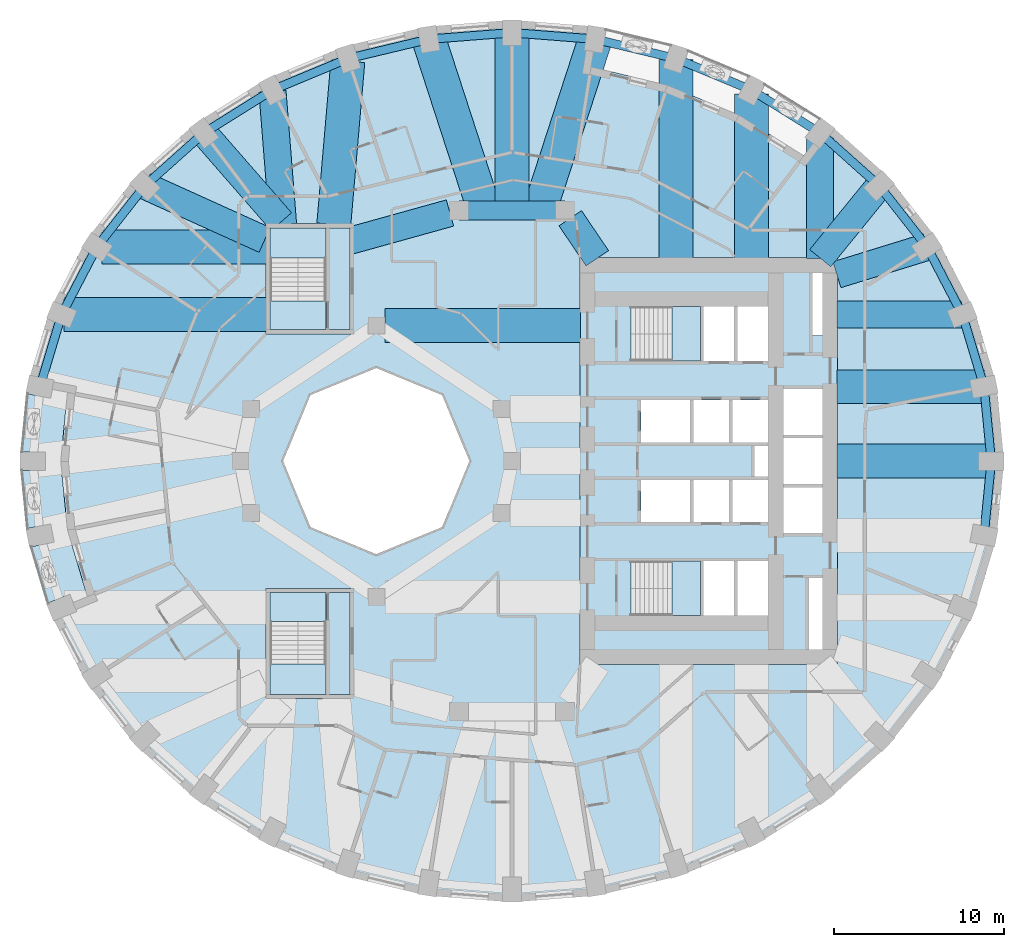
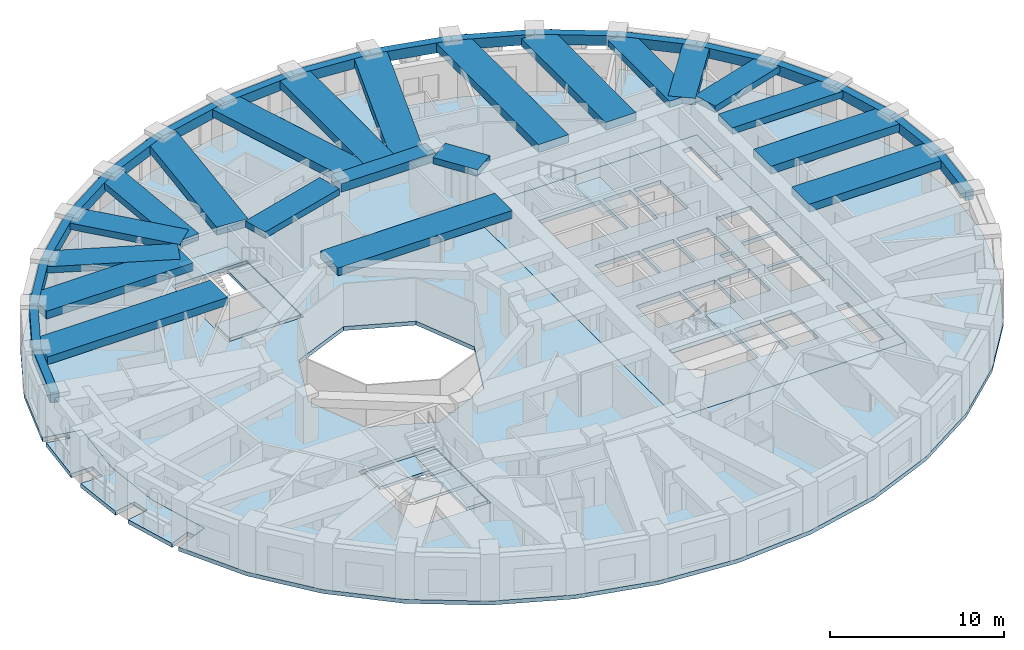
# One storey, part 2 of 13: 39 beams, 11 slabs, 4 elements without a shape of their own.
"""IFC4 building model written with IfcOpenShell, lengths in metres."""

from ifc_helpers import new_model, si_unit, direction, frame, origin, origin_2d, place, context, subcontext, project, spatial, polyline, rectangle, outline, extrude, material, layer, layer_set, material_profile, profile_set, type_object, element, aggregate, save


model = new_model("IFC4")

# Units and contexts
model_context = context("Model", 3, precision=1e-05, world=origin(), true_north=direction((0.0, 1.0)))
body_context = subcontext(model_context, "Body", "Model", "MODEL_VIEW")
ifc_project = project(units=[si_unit("LENGTHUNIT", "METRE"), si_unit("AREAUNIT", "SQUARE_METRE"), si_unit("VOLUMEUNIT", "CUBIC_METRE"), si_unit("PLANEANGLEUNIT", "RADIAN"), si_unit("MASSUNIT", "GRAM", prefix="KILO")], contexts=[model_context])

# Site, building, storey
site_placement = place(None, origin())
site = spatial("IfcSite", under=ifc_project, at=site_placement, CompositionType="ELEMENT")
building_placement = place(site_placement, origin())
building = spatial("IfcBuilding", under=site, at=building_placement, Name="Taillehof Tower", CompositionType="ELEMENT")
storey_placement = place(building_placement, frame((0.0, 0.0, 67.89990234375)))
storey = spatial("IfcBuildingStorey", under=building, at=storey_placement, Name="L18", CompositionType="ELEMENT", Elevation=67.89990234375)

# Beams
ifc_material_1 = material(Name="Concrete C50/60", Category="concrete")
ifc_material_profile_1 = material_profile(ifc_material_1, rectangle(XDim=1.10009765625, YDim=0.60009765625, at=origin_2d()), Name="RC 1100x600")
ifc_profile_set_1 = profile_set([ifc_material_profile_1], Name="Concrete C50/60")
beam_type_1 = type_object("IfcBeamType", Name="Mid-ring beam C50/60 1100x600", PredefinedType="BEAM", material=ifc_profile_set_1)
beam_1_placement = place(storey_placement, frame((3.125732421875, 14.772216796875, 2.72021484375), z_axis=(-1.0, 0.0, 0.0), x_axis=(0.0, -1.0, 0.0)))
element("IfcBeam", 1, at=beam_1_placement, inside=storey, type_object=beam_type_1, Name="Mid-ring beam MB01", PredefinedType="BEAM", context=body_context, shape_type="SweptSolid", body=[
    extrude(rectangle(XDim=1.10009765625, YDim=0.60009765625, at=origin_2d()), origin(), (0.0, 0.0, 1.0), 6.25146484375),
])
ifc_material_2 = material(Name="Concrete C50/60", Category="concrete")
ifc_material_profile_2 = material_profile(ifc_material_2, rectangle(XDim=1.60009765625, YDim=0.449951171875, at=origin_2d()), Name="RC 1600x450")
ifc_profile_set_2 = profile_set([ifc_material_profile_2], Name="Concrete C50/60")
beam_type_2 = type_object("IfcBeamType", Name="Radial band beam C50/60 1600x450", PredefinedType="BEAM", material=ifc_profile_set_2)
beam_2_placement = place(storey_placement, frame((26.490478515625, 8.635986328125, 2.795166015625), z_axis=(-1.0, 0.0, 0.0), x_axis=(0.0, -1.0, 0.0)))
element("IfcBeam", 2, at=beam_2_placement, inside=storey, type_object=beam_type_2, Name="Radial band beam RB03", PredefinedType="BEAM", context=body_context, shape_type="SweptSolid", body=[
    extrude(rectangle(XDim=1.60009765625, YDim=0.449951171875, at=origin_2d()), origin(), (0.0, 0.0, 1.0), 7.340576171875),
])
beam_3_placement = place(storey_placement, frame((24.46533203125, 12.625, 2.795166015625), z_axis=(-0.955535654338, -0.294875589511, 0.0), x_axis=(0.294875589511, -0.955535654338, 0.0)))
element("IfcBeam", 3, at=beam_3_placement, inside=storey, type_object=beam_type_2, Name="Radial band beam RB04", PredefinedType="BEAM", context=body_context, shape_type="SweptSolid", body=[
    extrude(rectangle(XDim=1.60009765625, YDim=0.449951171875, at=origin_2d()), origin(), (0.0, 0.0, 1.0), 5.560546875),
])
beam_4_placement = place(storey_placement, frame((21.640869140625, 16.23046875, 2.795166015625), z_axis=(-0.630988373846, -0.775792286679, 0.0), x_axis=(0.775792286679, -0.630988373846, 0.0)))
element("IfcBeam", 4, at=beam_4_placement, inside=storey, type_object=beam_type_2, Name="Radial band beam RB05", PredefinedType="BEAM", context=body_context, shape_type="SweptSolid", body=[
    extrude(rectangle(XDim=1.60009765625, YDim=0.449951171875, at=origin_2d()), origin(), (0.0, 0.0, 1.0), 5.503173828125),
])
beam_5_placement = place(storey_placement, frame((18.15869140625, 19.05517578125, 2.795166015625), z_axis=(0.0, -1.0, 0.0), x_axis=(1.0, 0.0, 0.0)))
element("IfcBeam", 5, at=beam_5_placement, inside=storey, type_object=beam_type_2, Name="Radial band beam RB06", PredefinedType="BEAM", context=body_context, shape_type="SweptSolid", body=[
    extrude(rectangle(XDim=1.60009765625, YDim=0.449951171875, at=origin_2d()), origin(), (0.0, 0.0, 1.0), 7.105224609375),
])
beam_6_placement = place(storey_placement, frame((-14.119873046875, 21.802978515625, 2.795166015625), z_axis=(0.079184740988, -0.996859958467, 0.0), x_axis=(0.996859958467, 0.079184740988, 0.0)))
element("IfcBeam", 6, at=beam_6_placement, inside=storey, type_object=beam_type_2, Name="Radial band beam RB13", PredefinedType="BEAM", context=body_context, shape_type="SweptSolid", body=[
    extrude(rectangle(XDim=1.60009765625, YDim=0.449951171875, at=origin_2d()), origin(), (0.0, 0.0, 1.0), 7.87744140625),
])
beam_7_placement = place(storey_placement, frame((-18.15869140625, 19.342529296875, 2.795166015625), z_axis=(0.65721824087, -0.753700327628, 0.0), x_axis=(0.753700327628, 0.65721824087, 0.0)))
element("IfcBeam", 7, at=beam_7_placement, inside=storey, type_object=beam_type_2, Name="Radial band beam RB14", PredefinedType="BEAM", context=body_context, shape_type="SweptSolid", body=[
    extrude(rectangle(XDim=1.60009765625, YDim=0.449951171875, at=origin_2d()), origin(), (0.0, 0.0, 1.0), 6.9384765625),
])
beam_8_placement = place(storey_placement, frame((-21.632568359375, 16.226806640625, 2.795166015625), z_axis=(0.911100590789, -0.412184077161, 0.0), x_axis=(0.412184077161, 0.911100590789, 0.0)))
element("IfcBeam", 8, at=beam_8_placement, inside=storey, type_object=beam_type_2, Name="Radial band beam RB15", PredefinedType="BEAM", context=body_context, shape_type="SweptSolid", body=[
    extrude(rectangle(XDim=1.60009765625, YDim=0.449951171875, at=origin_2d()), origin(), (0.0, 0.0, 1.0), 7.740966796875),
])
beam_9_placement = place(storey_placement, frame((3.433837890625, 14.31640625, 2.795166015625), z_axis=(0.560112043398, -0.828416862962, 0.0), x_axis=(0.828416862962, 0.560112043398, 0.0)))
element("IfcBeam", 9, at=beam_9_placement, inside=storey, type_object=beam_type_2, Name="Inner band beam IB205", PredefinedType="BEAM", context=body_context, shape_type="SweptSolid", body=[
    extrude(rectangle(XDim=1.60009765625, YDim=0.449951171875, at=origin_2d()), origin(), (0.0, 0.0, 1.0), 2.84619140625),
])
beam_10_placement = place(storey_placement, frame((-3.655517578125, 14.624755859375, 2.795166015625), z_axis=(-0.963459369536, -0.267854518821, 0.0), x_axis=(0.267854518821, -0.963459369536, 0.0)))
element("IfcBeam", 10, at=beam_10_placement, inside=storey, type_object=beam_type_2, Name="Inner band beam IB206", PredefinedType="BEAM", context=body_context, shape_type="SweptSolid", body=[
    extrude(rectangle(XDim=1.60009765625, YDim=0.449951171875, at=origin_2d()), origin(), (0.0, 0.0, 1.0), 6.096923828125),
])
ifc_material_3 = material(Name="Concrete C50/60", Category="concrete")
ifc_material_profile_3 = material_profile(ifc_material_3, rectangle(XDim=2.0, YDim=0.550048828125, at=origin_2d()), Name="RC 2000x550")
ifc_profile_set_3 = profile_set([ifc_material_profile_3], Name="Concrete C50/60")
beam_type_3 = type_object("IfcBeamType", Name="Radial band beam C50/60 2000x550", PredefinedType="BEAM", material=ifc_profile_set_3)
beam_11_placement = place(storey_placement, frame((28.25, 0.0, 2.7451171875), z_axis=(-1.0, 0.0, 0.0), x_axis=(0.0, -1.0, 0.0)))
element("IfcBeam", 11, at=beam_11_placement, inside=storey, type_object=beam_type_3, Name="Radial band beam RB01", PredefinedType="BEAM", context=body_context, shape_type="SweptSolid", body=[
    extrude(rectangle(XDim=2.0, YDim=0.550048828125, at=origin_2d()), origin(), (0.0, 0.0, 1.0), 9.10009765625),
])
beam_12_placement = place(storey_placement, frame((27.82080078125, 4.384521484375, 2.7451171875), z_axis=(-1.0, 0.0, 0.0), x_axis=(0.0, -1.0, 0.0)))
element("IfcBeam", 12, at=beam_12_placement, inside=storey, type_object=beam_type_3, Name="Radial band beam RB02", PredefinedType="BEAM", context=body_context, shape_type="SweptSolid", body=[
    extrude(rectangle(XDim=2.0, YDim=0.550048828125, at=origin_2d()), origin(), (0.0, 0.0, 1.0), 8.6708984375),
])
beam_13_placement = place(storey_placement, frame((14.125, 21.63232421875, 2.7451171875), z_axis=(0.0, -1.0, 0.0), x_axis=(1.0, 0.0, 0.0)))
element("IfcBeam", 13, at=beam_13_placement, inside=storey, type_object=beam_type_3, Name="Radial band beam RB07", PredefinedType="BEAM", context=body_context, shape_type="SweptSolid", body=[
    extrude(rectangle(XDim=2.0, YDim=0.550048828125, at=origin_2d()), origin(), (0.0, 0.0, 1.0), 9.682373046875),
])
beam_14_placement = place(storey_placement, frame((9.662109375, 23.664794921875, 2.7451171875), z_axis=(0.0, -1.0, 0.0), x_axis=(1.0, 0.0, 0.0)))
element("IfcBeam", 14, at=beam_14_placement, inside=storey, type_object=beam_type_3, Name="Radial band beam RB08", PredefinedType="BEAM", context=body_context, shape_type="SweptSolid", body=[
    extrude(rectangle(XDim=2.0, YDim=0.550048828125, at=origin_2d()), origin(), (0.0, 0.0, 1.0), 11.71484375),
])
beam_15_placement = place(storey_placement, frame((4.905517578125, 24.866455078125, 2.7451171875), z_axis=(-0.309014294595, -0.951057393503, 0.0), x_axis=(0.951057393503, -0.309014294595, 0.0)))
element("IfcBeam", 15, at=beam_15_placement, inside=storey, type_object=beam_type_3, Name="Radial band beam RB09", PredefinedType="BEAM", context=body_context, shape_type="SweptSolid", body=[
    extrude(rectangle(XDim=2.0, YDim=0.550048828125, at=origin_2d()), origin(), (0.0, 0.0, 1.0), 10.61376953125),
])
beam_16_placement = place(storey_placement, frame((0.0, 25.25, 2.7451171875), z_axis=(0.0, -1.0, 0.0), x_axis=(1.0, 0.0, 0.0)))
element("IfcBeam", 16, at=beam_16_placement, inside=storey, type_object=beam_type_3, Name="Radial band beam RB10", PredefinedType="BEAM", context=body_context, shape_type="SweptSolid", body=[
    extrude(rectangle(XDim=2.0, YDim=0.550048828125, at=origin_2d()), origin(), (0.0, 0.0, 1.0), 10.477783203125),
])
beam_17_placement = place(storey_placement, frame((-4.905517578125, 24.866455078125, 2.7451171875), z_axis=(0.309014294595, -0.951057393503, 0.0), x_axis=(0.951057393503, 0.309014294595, 0.0)))
element("IfcBeam", 17, at=beam_17_placement, inside=storey, type_object=beam_type_3, Name="Radial band beam RB11", PredefinedType="BEAM", context=body_context, shape_type="SweptSolid", body=[
    extrude(rectangle(XDim=2.0, YDim=0.550048828125, at=origin_2d()), origin(), (0.0, 0.0, 1.0), 10.61376953125),
])
beam_18_placement = place(storey_placement, frame((-9.675048828125, 23.575927734375, 2.7451171875), z_axis=(-0.085841202752, -0.996308831593, 0.0), x_axis=(0.996308831593, -0.085841202752, 0.0)))
element("IfcBeam", 18, at=beam_18_placement, inside=storey, type_object=beam_type_3, Name="Radial band beam RB12", PredefinedType="BEAM", context=body_context, shape_type="SweptSolid", body=[
    extrude(rectangle(XDim=2.0, YDim=0.550048828125, at=origin_2d()), origin(), (0.0, 0.0, 1.0), 9.661376953125),
])
beam_19_placement = place(storey_placement, frame((-24.172607421875, 12.625, 2.7451171875), z_axis=(1.0, 0.0, 0.0), x_axis=(0.0, 1.0, 0.0)))
element("IfcBeam", 19, at=beam_19_placement, inside=storey, type_object=beam_type_3, Name="Radial band beam RB16", PredefinedType="BEAM", context=body_context, shape_type="SweptSolid", body=[
    extrude(rectangle(XDim=2.0, YDim=0.550048828125, at=origin_2d()), origin(), (0.0, 0.0, 1.0), 9.72265625),
])
beam_20_placement = place(storey_placement, frame((-26.408935546875, 8.635986328125, 2.7451171875), z_axis=(1.0, 0.0, 0.0), x_axis=(0.0, 1.0, 0.0)))
element("IfcBeam", 20, at=beam_20_placement, inside=storey, type_object=beam_type_3, Name="Radial band beam RB17", PredefinedType="BEAM", context=body_context, shape_type="SweptSolid", body=[
    extrude(rectangle(XDim=2.0, YDim=0.550048828125, at=origin_2d()), origin(), (0.0, 0.0, 1.0), 11.958984375),
])
beam_21_placement = place(storey_placement, frame((-7.5, 8.0, 2.7451171875), z_axis=(1.0, 0.0, 0.0), x_axis=(0.0, 1.0, 0.0)))
element("IfcBeam", 21, at=beam_21_placement, inside=storey, type_object=beam_type_3, Name="Inner band beam IB105", PredefinedType="BEAM", context=body_context, shape_type="SweptSolid", body=[
    extrude(rectangle(XDim=2.0, YDim=0.550048828125, at=origin_2d()), origin(), (0.0, 0.0, 1.0), 11.550048828125),
])
ifc_material_4 = material(Name="Concrete C50/60", Category="concrete")
ifc_material_profile_4 = material_profile(ifc_material_4, rectangle(XDim=0.5, YDim=0.699951171875, at=origin_2d()), Name="RC 500x700")
ifc_profile_set_4 = profile_set([ifc_material_profile_4], Name="Concrete C50/60")
beam_type_4 = type_object("IfcBeamType", Name="Spandrel beam C50/60 500x700", PredefinedType="SPANDREL", material=ifc_profile_set_4)
beam_22_placement = place(storey_placement, frame((28.25, 0.0, 2.670166015625), z_axis=(-0.097423973567, 0.99524297002, 0.0), x_axis=(-0.99524297002, -0.097423973567, 0.0)))
element("IfcBeam", 22, at=beam_22_placement, inside=storey, type_object=beam_type_4, Name="Spandrel beam SB01", PredefinedType="SPANDREL", context=body_context, shape_type="SweptSolid", body=[
    extrude(rectangle(XDim=0.5, YDim=0.699951171875, at=origin_2d()), origin(), (0.0, 0.0, 1.0), 4.405517578125),
])
beam_23_placement = place(storey_placement, frame((27.82080078125, 4.384521484375, 2.670166015625), z_axis=(-0.287135925407, 0.957889847707, 0.0), x_axis=(-0.957889847707, -0.287135925407, 0.0)))
element("IfcBeam", 23, at=beam_23_placement, inside=storey, type_object=beam_type_4, Name="Spandrel beam SB02", PredefinedType="SPANDREL", context=body_context, shape_type="SweptSolid", body=[
    extrude(rectangle(XDim=0.5, YDim=0.699951171875, at=origin_2d()), origin(), (0.0, 0.0, 1.0), 4.4384765625),
])
beam_24_placement = place(storey_placement, frame((26.54638671875, 8.635986328125, 2.670166015625), z_axis=(-0.462536335232, 0.886600326297, 0.0), x_axis=(-0.886600326297, -0.462536335232, 0.0)))
element("IfcBeam", 24, at=beam_24_placement, inside=storey, type_object=beam_type_4, Name="Spandrel beam SB03", PredefinedType="SPANDREL", context=body_context, shape_type="SweptSolid", body=[
    extrude(rectangle(XDim=0.5, YDim=0.699951171875, at=origin_2d()), origin(), (0.0, 0.0, 1.0), 4.499267578125),
])
beam_25_placement = place(storey_placement, frame((24.46533203125, 12.625, 2.670166015625), z_axis=(-0.616686200373, 0.787209076593, 0.0), x_axis=(-0.787209076593, -0.616686200373, 0.0)))
element("IfcBeam", 25, at=beam_25_placement, inside=storey, type_object=beam_type_4, Name="Spandrel beam SB04", PredefinedType="SPANDREL", context=body_context, shape_type="SweptSolid", body=[
    extrude(rectangle(XDim=0.5, YDim=0.699951171875, at=origin_2d()), origin(), (0.0, 0.0, 1.0), 4.580078125),
])
beam_26_placement = place(storey_placement, frame((21.640869140625, 16.23046875, 2.670166015625), z_axis=(-0.745621283614, 0.666369943366, 0.0), x_axis=(-0.666369943366, -0.745621283614, 0.0)))
element("IfcBeam", 26, at=beam_26_placement, inside=storey, type_object=beam_type_4, Name="Spandrel beam SB05", PredefinedType="SPANDREL", context=body_context, shape_type="SweptSolid", body=[
    extrude(rectangle(XDim=0.5, YDim=0.699951171875, at=origin_2d()), origin(), (0.0, 0.0, 1.0), 4.670166015625),
])
beam_27_placement = place(storey_placement, frame((18.15869140625, 19.342529296875, 2.670166015625), z_axis=(-0.847658018883, 0.530543007703, 0.0), x_axis=(-0.530543007703, -0.847658018883, 0.0)))
element("IfcBeam", 27, at=beam_27_placement, inside=storey, type_object=beam_type_4, Name="Spandrel beam SB06", PredefinedType="SPANDREL", context=body_context, shape_type="SweptSolid", body=[
    extrude(rectangle(XDim=0.5, YDim=0.699951171875, at=origin_2d()), origin(), (0.0, 0.0, 1.0), 4.758544921875),
])
beam_28_placement = place(storey_placement, frame((14.125, 21.8671875, 2.670166015625), z_axis=(-0.923035088053, 0.384715773297, 0.0), x_axis=(-0.384715773297, -0.923035088053, 0.0)))
element("IfcBeam", 28, at=beam_28_placement, inside=storey, type_object=beam_type_4, Name="Spandrel beam SB07", PredefinedType="SPANDREL", context=body_context, shape_type="SweptSolid", body=[
    extrude(rectangle(XDim=0.5, YDim=0.699951171875, at=origin_2d()), origin(), (0.0, 0.0, 1.0), 4.8349609375),
])
beam_29_placement = place(storey_placement, frame((9.662109375, 23.727294921875, 2.670166015625), z_axis=(-0.9724995553, 0.232904733616, 0.0), x_axis=(-0.232904733616, -0.9724995553, 0.0)))
element("IfcBeam", 29, at=beam_29_placement, inside=storey, type_object=beam_type_4, Name="Spandrel beam SB08", PredefinedType="SPANDREL", context=body_context, shape_type="SweptSolid", body=[
    extrude(rectangle(XDim=0.5, YDim=0.699951171875, at=origin_2d()), origin(), (0.0, 0.0, 1.0), 4.89111328125),
])
for number, where, z_axis, x_axis, name in (
    (30, (4.905517578125, 24.866455078125, 2.670166015625), (-0.996957383661, 0.077948541767, 0.0), (-0.077948541767, -0.996957383661, 0.0), "Spandrel beam SB09"),
    (31, (0.0, 25.25, 2.670166015625), (-0.996957383661, -0.077948541767, 0.0), (0.077948541767, -0.996957383661, 0.0), "Spandrel beam SB10"),
):
    element("IfcBeam", number, at=place(storey_placement, frame(where, z_axis=z_axis, x_axis=x_axis)), inside=storey, type_object=beam_type_4, Name=name, PredefinedType="SPANDREL", context=body_context, shape_type="SweptSolid", body=[
        extrude(rectangle(XDim=0.5, YDim=0.699951171875, at=origin_2d()), origin(), (0.0, 0.0, 1.0), 4.92041015625),
    ])
beam_30_placement = place(storey_placement, frame((-4.905517578125, 24.866455078125, 2.670166015625), z_axis=(-0.9724995553, -0.232904733616, 0.0), x_axis=(0.232904733616, -0.9724995553, 0.0)))
element("IfcBeam", 32, at=beam_30_placement, inside=storey, type_object=beam_type_4, Name="Spandrel beam SB11", PredefinedType="SPANDREL", context=body_context, shape_type="SweptSolid", body=[
    extrude(rectangle(XDim=0.5, YDim=0.699951171875, at=origin_2d()), origin(), (0.0, 0.0, 1.0), 4.89111328125),
])
beam_31_placement = place(storey_placement, frame((-9.662109375, 23.727294921875, 2.670166015625), z_axis=(-0.923035088053, -0.384715773297, 0.0), x_axis=(0.384715773297, -0.923035088053, 0.0)))
element("IfcBeam", 33, at=beam_31_placement, inside=storey, type_object=beam_type_4, Name="Spandrel beam SB12", PredefinedType="SPANDREL", context=body_context, shape_type="SweptSolid", body=[
    extrude(rectangle(XDim=0.5, YDim=0.699951171875, at=origin_2d()), origin(), (0.0, 0.0, 1.0), 4.8349609375),
])
beam_32_placement = place(storey_placement, frame((-14.125, 21.8671875, 2.670166015625), z_axis=(-0.847658018883, -0.530543007703, 0.0), x_axis=(0.530543007703, -0.847658018883, 0.0)))
element("IfcBeam", 34, at=beam_32_placement, inside=storey, type_object=beam_type_4, Name="Spandrel beam SB13", PredefinedType="SPANDREL", context=body_context, shape_type="SweptSolid", body=[
    extrude(rectangle(XDim=0.5, YDim=0.699951171875, at=origin_2d()), origin(), (0.0, 0.0, 1.0), 4.758544921875),
])
beam_33_placement = place(storey_placement, frame((-18.15869140625, 19.342529296875, 2.670166015625), z_axis=(-0.745621283614, -0.666369943366, 0.0), x_axis=(0.666369943366, -0.745621283614, 0.0)))
element("IfcBeam", 35, at=beam_33_placement, inside=storey, type_object=beam_type_4, Name="Spandrel beam SB14", PredefinedType="SPANDREL", context=body_context, shape_type="SweptSolid", body=[
    extrude(rectangle(XDim=0.5, YDim=0.699951171875, at=origin_2d()), origin(), (0.0, 0.0, 1.0), 4.670166015625),
])
beam_34_placement = place(storey_placement, frame((-21.640869140625, 16.23046875, 2.670166015625), z_axis=(-0.616686200373, -0.787209076593, 0.0), x_axis=(0.787209076593, -0.616686200373, 0.0)))
element("IfcBeam", 36, at=beam_34_placement, inside=storey, type_object=beam_type_4, Name="Spandrel beam SB15", PredefinedType="SPANDREL", context=body_context, shape_type="SweptSolid", body=[
    extrude(rectangle(XDim=0.5, YDim=0.699951171875, at=origin_2d()), origin(), (0.0, 0.0, 1.0), 4.580078125),
])
beam_35_placement = place(storey_placement, frame((-24.46533203125, 12.625, 2.670166015625), z_axis=(-0.462536335232, -0.886600326297, 0.0), x_axis=(0.886600326297, -0.462536335232, 0.0)))
element("IfcBeam", 37, at=beam_35_placement, inside=storey, type_object=beam_type_4, Name="Spandrel beam SB16", PredefinedType="SPANDREL", context=body_context, shape_type="SweptSolid", body=[
    extrude(rectangle(XDim=0.5, YDim=0.699951171875, at=origin_2d()), origin(), (0.0, 0.0, 1.0), 4.499267578125),
])
beam_36_placement = place(storey_placement, frame((-26.54638671875, 8.635986328125, 2.670166015625), z_axis=(-0.287135925407, -0.957889847707, 0.0), x_axis=(0.957889847707, -0.287135925407, 0.0)))
element("IfcBeam", 38, at=beam_36_placement, inside=storey, type_object=beam_type_4, Name="Spandrel beam SB17", PredefinedType="SPANDREL", context=body_context, shape_type="SweptSolid", body=[
    extrude(rectangle(XDim=0.5, YDim=0.699951171875, at=origin_2d()), origin(), (0.0, 0.0, 1.0), 4.4384765625),
])
beam_37_placement = place(storey_placement, frame((27.82080078125, -4.384521484375, 2.670166015625), z_axis=(0.097423973567, 0.99524297002, 0.0), x_axis=(-0.99524297002, 0.097423973567, 0.0)))
element("IfcBeam", 39, at=beam_37_placement, inside=storey, type_object=beam_type_4, Name="Spandrel beam SB36", PredefinedType="SPANDREL", context=body_context, shape_type="SweptSolid", body=[
    extrude(rectangle(XDim=0.5, YDim=0.699951171875, at=origin_2d()), origin(), (0.0, 0.0, 1.0), 4.405517578125),
])

# Slabs
ifc_material_5 = material(Name="Concrete C40/50", Category="concrete")
ifc_layer_1 = layer(ifc_material_5, 0.280029296875)
ifc_layer_set_1 = layer_set([ifc_layer_1], Name="Balcony slab 280")
slab_type_1 = type_object("IfcSlabType", Name="Balcony slab 280", PredefinedType="USERDEFINED", material=ifc_layer_set_1)
slab_1_placement = place(storey_placement, frame((0.0, 0.0, -0.27978515625)))
element("IfcSlab", 40, at=slab_1_placement, inside=storey, type_object=slab_type_1, Name="Balcony L18 pocket 5", ObjectType="BALCONY", PredefinedType="USERDEFINED", context=body_context, shape_type="SweptSolid", body=[
    extrude(outline(polyline([(-25.02734375, -7.98974609375), (-25.86181640625, -8.328369140625), (-26.058349609375, -7.84423828125), (-27.4013671875, -8.3896484375), (-28.39697265625, -5.058349609375), (-26.978759765625, -4.779541015625), (-27.191162109375, -3.7001953125), (-28.611572265625, -3.979736328125), (-28.9462890625, -0.550048828125), (-27.5, -0.550048828125), (-27.5, 0.550048828125), (-28.9462890625, 0.550048828125), (-28.611572265625, 3.979736328125), (-27.191162109375, 3.7001953125), (-27.087646484375, 4.225341796875), (-26.20458984375, 4.0517578125), (-26.60009765625, 0.0), (-26.20458984375, -4.0517578125), (-25.02734375, -7.98974609375)])), origin(), (0.0, 0.0, 1.0), 0.27978515625),
])
ifc_material_6 = material(Name="Concrete C40/50", Category="concrete")
ifc_layer_2 = layer(ifc_material_6, 0.280029296875)
ifc_layer_set_2 = layer_set([ifc_layer_2], Name="Core floor slab C40/50 280")
slab_type_2 = type_object("IfcSlabType", Name="Core floor slab C40/50 280", PredefinedType="FLOOR", material=ifc_layer_set_2)
slab_2_placement = place(storey_placement, frame((0.0, 0.0, -0.27978515625)))
element("IfcSlab", 41, at=slab_2_placement, inside=storey, type_object=slab_type_2, Name="Core floor L18", PredefinedType="FLOOR", context=body_context, shape_type="SweptSolid", body=[
    extrude(outline(polyline([(4.0, -12.0), (4.0, 12.0), (19.199951171875, 12.0), (19.199951171875, -12.0), (4.0, -12.0)]), holes=[polyline([(7.00048828125, -9.10009765625), (11.10009765625, -9.10009765625), (11.10009765625, -5.89990234375), (7.00048828125, -5.89990234375), (7.00048828125, -9.10009765625)]), polyline([(13.10009765625, -9.10009765625), (13.10009765625, -5.89990234375), (11.300048828125, -5.89990234375), (11.300048828125, -9.10009765625), (13.10009765625, -9.10009765625)]), polyline([(10.5, -3.60009765625), (10.5, -1.10009765625), (7.60009765625, -1.10009765625), (7.60009765625, -3.60009765625), (10.5, -3.60009765625)]), polyline([(12.800048828125, -3.60009765625), (12.800048828125, -1.10009765625), (10.699951171875, -1.10009765625), (10.699951171875, -3.60009765625), (12.800048828125, -3.60009765625)]), polyline([(10.5, 1.10009765625), (10.5, 3.60009765625), (7.60009765625, 3.60009765625), (7.60009765625, 1.10009765625), (10.5, 1.10009765625)]), polyline([(12.800048828125, 1.10009765625), (12.800048828125, 3.60009765625), (10.699951171875, 3.60009765625), (10.699951171875, 1.10009765625), (12.800048828125, 1.10009765625)]), polyline([(15.10009765625, 1.10009765625), (15.10009765625, 3.60009765625), (13.0, 3.60009765625), (13.0, 1.10009765625), (15.10009765625, 1.10009765625)]), polyline([(11.300048828125, 5.89990234375), (13.10009765625, 5.89990234375), (13.10009765625, 9.10009765625), (11.300048828125, 9.10009765625), (11.300048828125, 5.89990234375)]), polyline([(7.00048828125, 5.89990234375), (11.10009765625, 5.89990234375), (11.10009765625, 9.10009765625), (7.00048828125, 9.10009765625), (7.00048828125, 5.89990234375)]), polyline([(18.300048828125, -11.10009765625), (18.300048828125, -6.89990234375), (17.5, -6.89990234375), (17.5, -11.10009765625), (18.300048828125, -11.10009765625)]), polyline([(15.10009765625, -9.10009765625), (15.10009765625, -5.89990234375), (13.300048828125, -5.89990234375), (13.300048828125, -9.10009765625), (15.10009765625, -9.10009765625)]), polyline([(18.300048828125, -4.25), (18.300048828125, -1.550048828125), (16.0, -1.550048828125), (16.0, -4.25), (18.300048828125, -4.25)]), polyline([(15.10009765625, -3.60009765625), (15.10009765625, -1.10009765625), (13.0, -1.10009765625), (13.0, -3.60009765625), (15.10009765625, -3.60009765625)]), polyline([(15.10009765625, -0.89990234375), (15.10009765625, 0.89990234375), (14.300048828125, 0.89990234375), (14.300048828125, -0.89990234375), (15.10009765625, -0.89990234375)]), polyline([(18.300048828125, -1.35009765625), (18.300048828125, 1.35009765625), (16.0, 1.35009765625), (16.0, -1.35009765625), (18.300048828125, -1.35009765625)]), polyline([(18.300048828125, 1.550048828125), (18.300048828125, 4.25), (16.0, 4.25), (16.0, 1.550048828125), (18.300048828125, 1.550048828125)]), polyline([(13.300048828125, 5.89990234375), (15.10009765625, 5.89990234375), (15.10009765625, 9.10009765625), (13.300048828125, 9.10009765625), (13.300048828125, 5.89990234375)]), polyline([(18.300048828125, 7.39990234375), (18.300048828125, 11.10009765625), (17.699951171875, 11.10009765625), (17.699951171875, 7.39990234375), (18.300048828125, 7.39990234375)])]), origin(), (0.0, 0.0, 1.0), 0.27978515625),
])
ifc_material_7 = material(Name="Concrete C40/50", Category="concrete")
ifc_layer_3 = layer(ifc_material_7, 0.280029296875)
ifc_layer_set_3 = layer_set([ifc_layer_3], Name="Floor slab 280")
slab_type_3 = type_object("IfcSlabType", Name="Floor slab 280", PredefinedType="FLOOR", material=ifc_layer_set_3)
slab_3_placement = place(storey_placement, frame((0.0, 0.0, -0.27978515625)))
element("IfcSlab", 42, at=slab_3_placement, inside=storey, type_object=slab_type_3, Name="Floor slab L18", PredefinedType="FLOOR", context=body_context, shape_type="SweptSolid", body=[
    extrude(outline(polyline([(29.0, 0.0), (28.559326171875, 4.514892578125), (27.251220703125, 8.892578125), (25.11474609375, 13.0), (22.21533203125, 16.71240234375), (18.640869140625, 19.917236328125), (17.197998046875, 17.999267578125), (13.396728515625, 20.38525390625), (9.174072265625, 22.150390625), (4.660888671875, 23.234375), (5.035888671875, 25.60498046875), (0.0, 26.0), (-5.035888671875, 25.60498046875), (-9.918701171875, 24.431884765625), (-14.5, 22.5166015625), (-18.640869140625, 19.917236328125), (-22.21533203125, 16.71240234375), (-25.11474609375, 13.0), (-27.251220703125, 8.892578125), (-28.559326171875, 4.514892578125), (-26.20458984375, 4.0517578125), (-26.60009765625, 0.0), (-26.20458984375, -4.0517578125), (-25.02734375, -7.98974609375), (-27.251220703125, -8.892578125), (-25.11474609375, -13.0), (-22.21533203125, -16.71240234375), (-18.640869140625, -19.917236328125), (-14.5, -22.5166015625), (-9.918701171875, -24.431884765625), (-5.035888671875, -25.60498046875), (0.0, -26.0), (5.035888671875, -25.60498046875), (9.918701171875, -24.431884765625), (14.5, -22.5166015625), (18.640869140625, -19.917236328125), (22.21533203125, -16.71240234375), (25.11474609375, -13.0), (27.251220703125, -8.892578125), (28.559326171875, -4.514892578125), (29.0, 0.0)]), holes=[polyline([(-14.5, -7.5), (-9.5, -7.5), (-9.5, -14.0), (-14.5, -14.0), (-14.5, -7.5)]), polyline([(-8.0, -5.5), (-11.88916015625, -3.88916015625), (-13.5, 0.0), (-11.88916015625, 3.88916015625), (-8.0, 5.5), (-4.11083984375, 3.88916015625), (-2.5, 0.0), (-4.11083984375, -3.88916015625), (-8.0, -5.5)]), polyline([(19.199951171875, 12.0), (19.199951171875, -12.0), (4.0, -12.0), (4.0, 12.0), (19.199951171875, 12.0)]), polyline([(-14.5, 14.0), (-9.5, 14.0), (-9.5, 7.5), (-14.5, 7.5), (-14.5, 14.0)])]), origin(), (0.0, 0.0, 1.0), 0.27978515625),
])

# Stair, slab
ifc_material_8 = material(Name="Concrete C40/50", Category="concrete")
stair_type = type_object("IfcStairType", Name="Exit stair half-turn", PredefinedType="HALF_TURN_STAIR", material=ifc_material_8)
stair_1_placement = place(storey_placement, origin())
stair_1 = element("IfcStair", 43, at=stair_1_placement, inside=storey, type_object=stair_type, Name="Exit stair S1", PredefinedType="HALF_TURN_STAIR")
ifc_material_9 = material(Name="Concrete C40/50", Category="concrete")
ifc_layer_4 = layer(ifc_material_9, 0.2099609375)
ifc_layer_set_4 = layer_set([ifc_layer_4], Name="Stair landing C40/50 210")
slab_type_4 = type_object("IfcSlabType", Name="Stair landing C40/50 210", PredefinedType="LANDING", material=ifc_layer_set_4)
slab_4_placement = place(storey_placement, frame((0.0, 0.0, 1.440185546875)))
slab_4 = element("IfcSlab", 44, at=slab_4_placement, type_object=slab_type_4, Name="S1 landing 1", PredefinedType="LANDING", context=body_context, shape_type="SweptSolid", body=[
    extrude(outline(polyline([(9.429931640625, 5.89990234375), (11.10009765625, 5.89990234375), (11.10009765625, 9.10009765625), (9.429931640625, 9.10009765625), (9.429931640625, 5.89990234375)])), origin(), (0.0, 0.0, 1.0), 0.2099609375),
])
aggregate(stair_1, [slab_4])

stair_2_placement = place(storey_placement, origin())
stair_2 = element("IfcStair", 45, at=stair_2_placement, inside=storey, type_object=stair_type, Name="Exit stair S2", PredefinedType="HALF_TURN_STAIR")
slab_5_placement = place(storey_placement, frame((0.0, 0.0, 1.440185546875)))
slab_5 = element("IfcSlab", 46, at=slab_5_placement, type_object=slab_type_4, Name="S2 landing 1", PredefinedType="LANDING", context=body_context, shape_type="SweptSolid", body=[
    extrude(outline(polyline([(9.429931640625, -5.89990234375), (11.10009765625, -5.89990234375), (11.10009765625, -9.10009765625), (9.429931640625, -9.10009765625), (9.429931640625, -5.89990234375)])), origin(), (0.0, 0.0, 1.0), 0.2099609375),
])
aggregate(stair_2, [slab_5])

stair_3_placement = place(storey_placement, origin())
stair_3 = element("IfcStair", 47, at=stair_3_placement, inside=storey, type_object=stair_type, Name="Exit stair S3", PredefinedType="HALF_TURN_STAIR")
slab_6_placement = place(storey_placement, frame((0.0, 0.0, 1.440185546875)))
slab_6 = element("IfcSlab", 48, at=slab_6_placement, type_object=slab_type_4, Name="S3 landing 1", PredefinedType="LANDING", context=body_context, shape_type="SweptSolid", body=[
    extrude(outline(polyline([(-14.25, 11.969970703125), (-14.25, 13.75), (-10.949951171875, 13.75), (-10.949951171875, 11.969970703125), (-14.25, 11.969970703125)])), origin(), (0.0, 0.0, 1.0), 0.2099609375),
])
aggregate(stair_3, [slab_6])

stair_4_placement = place(storey_placement, origin())
stair_4 = element("IfcStair", 49, at=stair_4_placement, inside=storey, type_object=stair_type, Name="Exit stair S4", PredefinedType="HALF_TURN_STAIR")
slab_7_placement = place(storey_placement, frame((0.0, 0.0, 1.440185546875)))
slab_7 = element("IfcSlab", 50, at=slab_7_placement, type_object=slab_type_4, Name="S4 landing 1", PredefinedType="LANDING", context=body_context, shape_type="SweptSolid", body=[
    extrude(outline(polyline([(-14.25, -11.969970703125), (-14.25, -13.75), (-10.949951171875, -13.75), (-10.949951171875, -11.969970703125), (-14.25, -11.969970703125)])), origin(), (0.0, 0.0, 1.0), 0.2099609375),
])
aggregate(stair_4, [slab_7])

# Slabs
slab_8_placement = place(storey_placement, frame((0.0, 0.0, -0.2099609375)))
element("IfcSlab", 51, at=slab_8_placement, inside=storey, type_object=slab_type_4, Name="Stair S3 floor landing", PredefinedType="LANDING", context=body_context, shape_type="SweptSolid", body=[
    extrude(outline(polyline([(-14.25, 7.75), (-14.25, 9.449951171875), (-10.949951171875, 9.449951171875), (-10.949951171875, 7.75), (-14.25, 7.75)])), origin(), (0.0, 0.0, 1.0), 0.2099609375),
])
slab_9_placement = place(storey_placement, frame((0.0, 0.0, -0.2099609375)))
element("IfcSlab", 52, at=slab_9_placement, inside=storey, type_object=slab_type_4, Name="Stair lobby S3 floor", PredefinedType="LANDING", context=body_context, shape_type="SweptSolid", body=[
    extrude(outline(polyline([(-10.949951171875, 7.75), (-9.550048828125, 7.75), (-9.550048828125, 13.75), (-10.949951171875, 13.75), (-10.949951171875, 7.75)])), origin(), (0.0, 0.0, 1.0), 0.2099609375),
])
slab_10_placement = place(storey_placement, frame((0.0, 0.0, -0.2099609375)))
element("IfcSlab", 53, at=slab_10_placement, inside=storey, type_object=slab_type_4, Name="Stair S4 floor landing", PredefinedType="LANDING", context=body_context, shape_type="SweptSolid", body=[
    extrude(outline(polyline([(-14.25, -7.75), (-14.25, -9.449951171875), (-10.949951171875, -9.449951171875), (-10.949951171875, -7.75), (-14.25, -7.75)])), origin(), (0.0, 0.0, 1.0), 0.2099609375),
])
slab_11_placement = place(storey_placement, frame((0.0, 0.0, -0.2099609375)))
element("IfcSlab", 54, at=slab_11_placement, inside=storey, type_object=slab_type_4, Name="Stair lobby S4 floor", PredefinedType="LANDING", context=body_context, shape_type="SweptSolid", body=[
    extrude(outline(polyline([(-10.949951171875, -13.75), (-9.550048828125, -13.75), (-9.550048828125, -7.75), (-10.949951171875, -7.75), (-10.949951171875, -13.75)])), origin(), (0.0, 0.0, 1.0), 0.2099609375),
])

save(model, "model.ifc")
